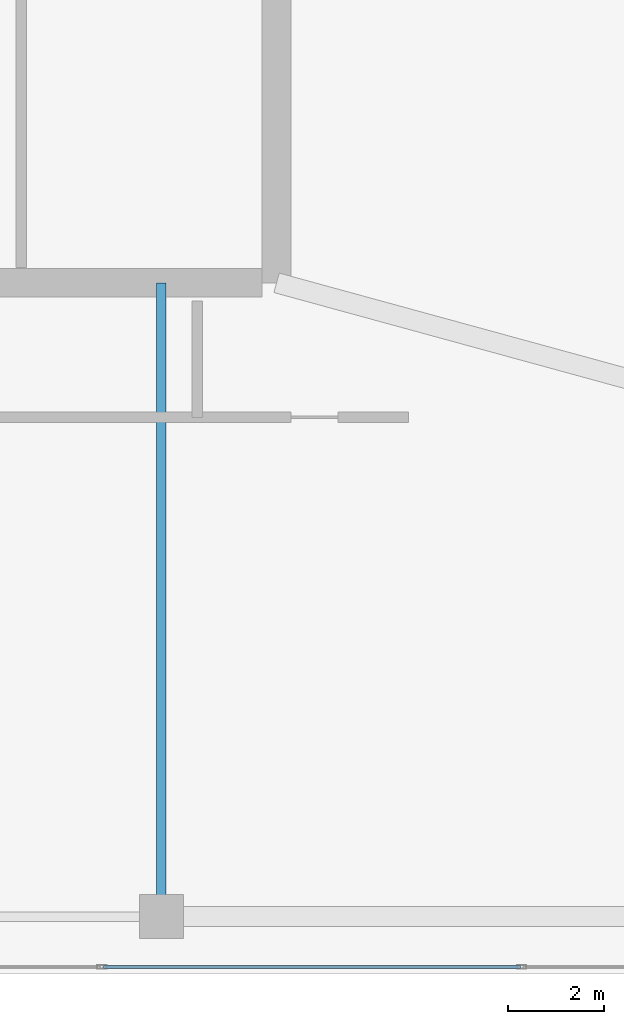
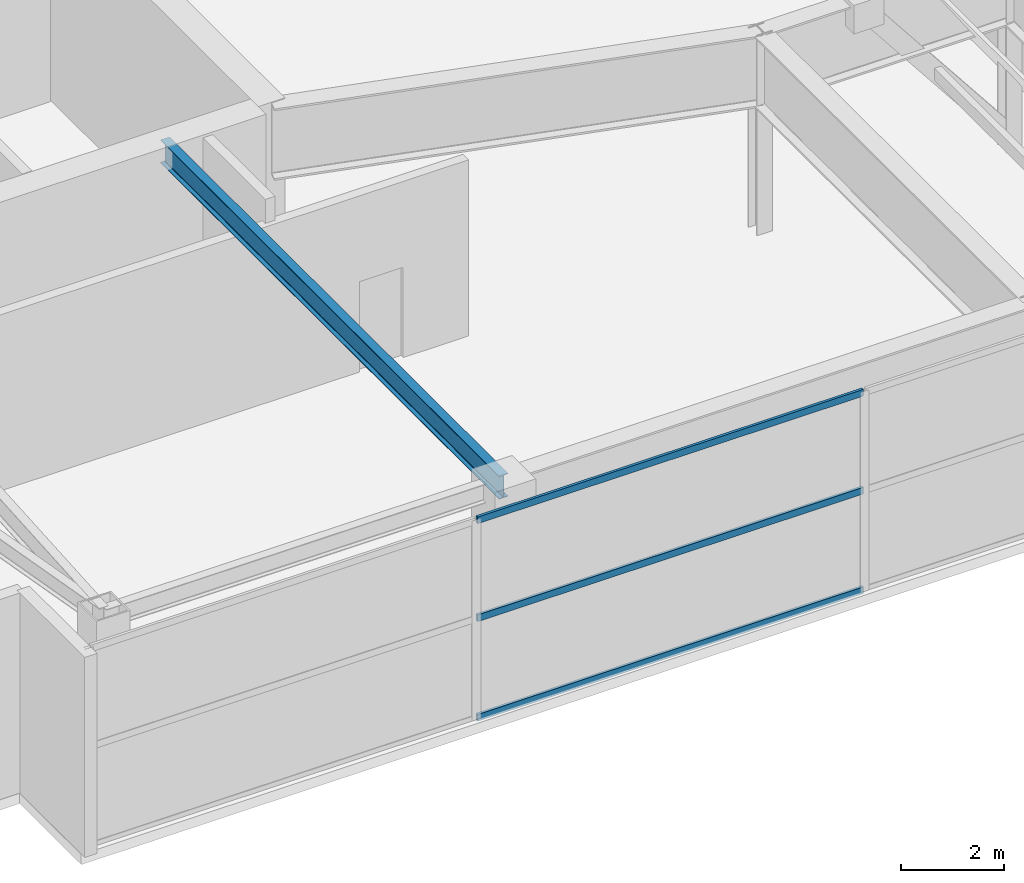
# One storey, part 5 of 22: 3 members, 1 beam, 1 element without a shape of its own.
"""IFC4 building model written with IfcOpenShell, lengths in metres."""

import ifcopenshell
import ifcopenshell.guid

model = None  # the IFC model being written
_history = None  # IfcOwnerHistory: only IFC2X3 demands one
_inside = {}  # id of a spatial element -> (the spatial element, [elements in it])
_under = {}  # id of a project, library or spatial element -> (it, [spatial elements below it])
_declared = {}  # id of a project -> (the project, [libraries it declares])
_typed = {}  # id of a type object -> (the type object, [elements of that type])
_made_of = {}  # id of a material, layer set ... -> (it, [elements and type objects made of it])


def new_model(schema):
    """Start an empty IFC model of exactly this schema.

    Asked for "IFC4X3", IfcOpenShell would pick the latest addendum, in which some entities
    have other attributes; the version numbers below select the first issue.
    IFC2X3 requires an IfcOwnerHistory on every rooted entity: one is made here for all.
    """
    global model, _history
    if schema == "IFC4X3":
        model = ifcopenshell.file(schema_version=(4, 3, 0, 0))
    else:
        model = ifcopenshell.file(schema=schema)
    _inside.clear()
    _under.clear()
    _declared.clear()
    _typed.clear()
    _made_of.clear()
    _history = None
    if model.schema == "IFC2X3":
        org = make("IfcOrganization", Name="unknown")
        user = make(
            "IfcPersonAndOrganization",
            ThePerson=make("IfcPerson", FamilyName="unknown"),
            TheOrganization=org,
        )
        app = make(
            "IfcApplication",
            ApplicationDeveloper=org,
            Version="unknown",
            ApplicationFullName="unknown",
            ApplicationIdentifier="unknown",
        )
        _history = make(
            "IfcOwnerHistory",
            OwningUser=user,
            OwningApplication=app,
            ChangeAction="ADDED",
            CreationDate=0,
        )
    return model


def make(cls, **values):
    """One entity of the class cls with the attributes given. An attribute that is None is left unset."""
    return model.create_entity(
        cls, **{name: value for name, value in values.items() if value is not None}
    )


def rooted(cls, **values):
    """An entity with a GlobalId (a new one), such as an element, a storey or a relation."""
    return make(cls, GlobalId=ifcopenshell.guid.new(), OwnerHistory=_history, **values)


def si_unit(unit_type, name, prefix=None):
    """IfcSIUnit, for example si_unit("LENGTHUNIT", "METRE", prefix="MILLI")."""
    return make("IfcSIUnit", UnitType=unit_type, Prefix=prefix, Name=name)


def assignment(units):
    """IfcUnitAssignment: the units of a project."""
    return None if units is None else make("IfcUnitAssignment", Units=units)


def point(xyz):
    """IfcCartesianPoint."""
    return None if xyz is None else make("IfcCartesianPoint", Coordinates=xyz)


def direction(xyz):
    """IfcDirection."""
    return None if xyz is None else make("IfcDirection", DirectionRatios=xyz)


def frame(location, z_axis=None, x_axis=None):
    """IfcAxis2Placement3D, a coordinate frame: its origin and axes. An axis left out is left unset."""
    return make(
        "IfcAxis2Placement3D",
        Location=point(location),
        Axis=direction(z_axis),
        RefDirection=direction(x_axis),
    )


def frame_2d(location, x_axis=None):
    """IfcAxis2Placement2D, a coordinate frame in the plane: its origin and x axis."""
    return make(
        "IfcAxis2Placement2D", Location=point(location), RefDirection=direction(x_axis)
    )


def origin():
    """The frame at (0, 0, 0) with its axes left unset."""
    return frame((0.0, 0.0, 0.0))


def origin_2d():
    """The frame at (0, 0) in the plane with its x axis left unset."""
    return frame_2d((0.0, 0.0))


def place(relative_to, where):
    """IfcLocalPlacement: puts the frame where relative to a parent placement (None: the world)."""
    return make(
        "IfcLocalPlacement", PlacementRelTo=relative_to, RelativePlacement=where
    )


def context(
    kind, dimensions, precision=None, world=None, true_north=None, identifier=None
):
    """IfcGeometricRepresentationContext, for example the 3D "Model" context."""
    return make(
        "IfcGeometricRepresentationContext",
        ContextIdentifier=identifier,
        ContextType=kind,
        CoordinateSpaceDimension=dimensions,
        Precision=precision,
        WorldCoordinateSystem=world,
        TrueNorth=true_north,
    )


def subcontext(parent, identifier, kind, view, scale=None):
    """IfcGeometricRepresentationSubContext, for example "Body" below "Model"."""
    return make(
        "IfcGeometricRepresentationSubContext",
        ContextIdentifier=identifier,
        ContextType=kind,
        ParentContext=parent,
        TargetScale=scale,
        TargetView=view,
    )


def project(units=None, contexts=None):
    """IfcProject with its units and contexts."""
    return rooted(
        "IfcProject",
        Name="project",
        RepresentationContexts=contexts,
        UnitsInContext=assignment(units),
    )


def spatial(cls, under=None, at=None, **own):
    """A site, building, storey or space (cls), placed at a placement, below another one or the project."""
    s = rooted(cls, ObjectPlacement=at, **own)
    if under is not None:
        _under.setdefault(under.id(), (under, []))[1].append(s)
    return s


def profile(cls, at=None, kind="AREA", **sizes):
    """A parametric profile (cls). Its sizes go by their IFC names, for example OverallWidth=200.0."""
    return make(cls, ProfileType=kind, Position=at, **sizes)


def hollow_rectangle(**sizes):
    """IfcRectangleHollowProfileDef."""
    return profile("IfcRectangleHollowProfileDef", **sizes)


def i_section(**sizes):
    """IfcIShapeProfileDef."""
    return profile("IfcIShapeProfileDef", **sizes)


def extrude(swept, where, along, depth):
    """IfcExtrudedAreaSolid: the profile swept, set in the frame where, extruded along a direction by depth."""
    return make(
        "IfcExtrudedAreaSolid",
        SweptArea=swept,
        Position=where,
        ExtrudedDirection=direction(along),
        Depth=depth,
    )


def shape(context_of_items, identifier, shape_type, items):
    """IfcShapeRepresentation: the items that make up one representation, for example the "Body"."""
    return make(
        "IfcShapeRepresentation",
        ContextOfItems=context_of_items,
        RepresentationIdentifier=identifier,
        RepresentationType=shape_type,
        Items=items,
    )


def material(Name=None, Category=None):
    """IfcMaterial."""
    return make("IfcMaterial", Name=Name, Category=Category)


def layer(
    of_material, thickness, ventilated=None, Name=None, Category=None, Priority=None
):
    """IfcMaterialLayer: one layer of a wall or slab, of a material (None: an air gap)."""
    return make(
        "IfcMaterialLayer",
        Material=of_material,
        LayerThickness=thickness,
        IsVentilated=ventilated,
        Name=Name,
        Category=Category,
        Priority=Priority,
    )


def layer_set(layers, Name=None):
    """IfcMaterialLayerSet."""
    return make("IfcMaterialLayerSet", MaterialLayers=layers, LayerSetName=Name)


def material_profile(
    of_material, cross_section, Name=None, Category=None, Priority=None
):
    """IfcMaterialProfile: a cross section and its material."""
    return make(
        "IfcMaterialProfile",
        Name=Name,
        Material=of_material,
        Profile=cross_section,
        Priority=Priority,
        Category=Category,
    )


def profile_set(profiles, Name=None, composite=None):
    """IfcMaterialProfileSet."""
    return make(
        "IfcMaterialProfileSet",
        Name=Name,
        MaterialProfiles=profiles,
        CompositeProfile=composite,
    )


def made_of(thing, what):
    """Note that an element or type object is made of a material, layer set ...; save() writes the relation."""
    if what is not None:
        _made_of.setdefault(what.id(), (what, []))[1].append(thing)
    return thing


def type_object(cls, material=None, **own):
    """A type object (cls), such as IfcWallType, which elements share."""
    return made_of(rooted(cls, **own), material)


def element(
    cls,
    number,
    at=None,
    inside=None,
    cuts=None,
    type_object=None,
    material=None,
    context=None,
    identifier="Body",
    shape_type=None,
    held_by="IfcProductDefinitionShape",
    body=None,
    shapes=None,
    **own,
):
    """One element of the class cls, such as IfcWall. Its Tag is "e" and its number.

    at: its placement. inside: the storey or other place that contains it. cuts: it is an
    opening in that element (IfcRelVoidsElement). A single representation is given by context,
    identifier, shape_type and body (its items); several are given by shapes. held_by: the class
    of the entity that holds the representations. save() writes the other relations.
    """
    e = rooted(cls, Tag="e%d" % number, ObjectPlacement=at, **own)
    if body is not None:
        shapes = [shape(context, identifier, shape_type, body)]
    if shapes is not None:
        e.Representation = make(held_by, Representations=shapes)
    if inside is not None:
        _inside.setdefault(inside.id(), (inside, []))[1].append(e)
    if cuts is not None:
        rooted(
            "IfcRelVoidsElement", RelatingBuildingElement=cuts, RelatedOpeningElement=e
        )
    if type_object is not None:
        _typed.setdefault(type_object.id(), (type_object, []))[1].append(e)
    return made_of(e, material)


def aggregate(whole, parts):
    """IfcRelAggregates: a whole, such as a stair, and the parts it consists of."""
    return rooted("IfcRelAggregates", RelatingObject=whole, RelatedObjects=parts)


def save(model, path):
    """Write the relations noted so far, then the file.

    IfcRelAggregates (storeys below a building ...), IfcRelContainedInSpatialStructure (elements
    in a storey), IfcRelDefinesByType, IfcRelAssociatesMaterial and IfcRelDeclares: one each for
    every whole, place, type object, material and project.
    """
    for whole, parts in _under.values():
        aggregate(whole, parts)
    for where, things in _inside.values():
        rooted(
            "IfcRelContainedInSpatialStructure",
            RelatedElements=things,
            RelatingStructure=where,
        )
    for kind, things in _typed.values():
        rooted("IfcRelDefinesByType", RelatedObjects=things, RelatingType=kind)
    for what, things in _made_of.values():
        rooted("IfcRelAssociatesMaterial", RelatedObjects=things, RelatingMaterial=what)
    for by, libraries in _declared.values():
        rooted("IfcRelDeclares", RelatingContext=by, RelatedDefinitions=libraries)
    model.write(path)


model = new_model("IFC4")

# Units and contexts
model_context = context("Model", 3, precision=1e-05, world=origin(), true_north=direction((0.0, 1.0)))
body_context = subcontext(model_context, "Body", "Model", "MODEL_VIEW")
ifc_project = project(units=[si_unit("LENGTHUNIT", "METRE"), si_unit("AREAUNIT", "SQUARE_METRE"), si_unit("VOLUMEUNIT", "CUBIC_METRE"), si_unit("PLANEANGLEUNIT", "RADIAN"), si_unit("MASSUNIT", "GRAM", prefix="KILO")], contexts=[model_context])

# Site, building, storey
site_placement = place(None, origin())
site = spatial("IfcSite", under=ifc_project, at=site_placement, CompositionType="ELEMENT")
building_placement = place(site_placement, origin())
building = spatial("IfcBuilding", under=site, at=building_placement, Name="Calvorn Quay Hotel", CompositionType="ELEMENT")
storey_placement = place(building_placement, frame((0.0, 0.0, 325.5)))
storey = spatial("IfcBuildingStorey", under=building, at=storey_placement, Name="L80", CompositionType="ELEMENT", Elevation=325.5)

# Beam
ifc_material_1 = material(Name="Steel Q355B", Category="steel")
ifc_material_profile_1 = material_profile(ifc_material_1, i_section(OverallWidth=0.199951171875, OverallDepth=0.550048828125, WebThickness=0.010009765625, FlangeThickness=0.01611328125, FilletRadius=0.01806640625, at=origin_2d()), Name="HN550x200x10x16")
ifc_profile_set_1 = profile_set([ifc_material_profile_1], Name="Steel Q355B")
beam_type = type_object("IfcBeamType", Name="BM-GIRD-UPP", PredefinedType="BEAM", material=ifc_profile_set_1)
beam_placement = place(storey_placement, frame((12.60009765625, 3.60009765625, 4.465087890625), z_axis=(0.0, 1.0, 0.0), x_axis=(-1.0, 0.0, 0.0)))
element("IfcBeam", 1, at=beam_placement, inside=storey, type_object=beam_type, Name="Beam BG-L80-CS1", PredefinedType="BEAM", context=body_context, shape_type="SweptSolid", body=[
    extrude(i_section(OverallWidth=0.199951171875, OverallDepth=0.550048828125, WebThickness=0.010009765625, FlangeThickness=0.01611328125, FilletRadius=0.01806640625, at=origin_2d()), origin(), (0.0, 0.0, 1.0), 13.199951171875),
])

# Curtain wall, members
ifc_material_2 = material(Name="Pale Anodised Aluminium and Laminated Glass", Category="aluminium")
ifc_layer = layer(ifc_material_2, 0.219970703125)
ifc_layer_set = layer_set([ifc_layer], Name="CW-SYS-CRN")
curtain_wall_type = type_object("IfcCurtainWallType", Name="CW-SYS-CRN", PredefinedType="NOTDEFINED", material=ifc_layer_set)
curtain_wall_placement = place(storey_placement, origin())
curtain_wall = element("IfcCurtainWall", 2, at=curtain_wall_placement, inside=storey, type_object=curtain_wall_type, Name="Crown Curtain Wall L80-C1", PredefinedType="NOTDEFINED")
ifc_material_3 = material(Name="Pale Anodised Aluminium 6063-T6", Category="aluminium")
ifc_material_profile_2 = material_profile(ifc_material_3, hollow_rectangle(XDim=0.06201171875, YDim=0.159912109375, WallThickness=0.00341796875, at=origin_2d()), Name="ALU-T160x62x3.5")
ifc_profile_set_2 = profile_set([ifc_material_profile_2], Name="Pale Anodised Aluminium 6063-T6")
member_type = type_object("IfcMemberType", Name="CW-SYS-CRN-TRN", PredefinedType="USERDEFINED", material=ifc_profile_set_2)
member_1_placement = place(storey_placement, frame((11.392333984375, 2.550048828125, 0.030029296875), z_axis=(1.0, 0.0, 0.0), x_axis=(0.0, 1.0, 0.0)))
member_1 = element("IfcMember", 3, at=member_1_placement, type_object=member_type, Name="CW-L80-C1 transom 2.1", ObjectType="TRANSOM", PredefinedType="USERDEFINED", context=body_context, shape_type="SweptSolid", body=[
    extrude(hollow_rectangle(XDim=0.06201171875, YDim=0.159912109375, WallThickness=0.00341796875, at=origin_2d()), origin(), (0.0, 0.0, 1.0), 8.682373046875),
])
member_2_placement = place(storey_placement, frame((11.392333984375, 2.550048828125, 2.39990234375), z_axis=(1.0, 0.0, 0.0), x_axis=(0.0, 1.0, 0.0)))
member_2 = element("IfcMember", 4, at=member_2_placement, type_object=member_type, Name="CW-L80-C1 transom 2.2", ObjectType="TRANSOM", PredefinedType="USERDEFINED", context=body_context, shape_type="SweptSolid", body=[
    extrude(hollow_rectangle(XDim=0.06201171875, YDim=0.159912109375, WallThickness=0.00341796875, at=origin_2d()), origin(), (0.0, 0.0, 1.0), 8.682373046875),
])
member_3_placement = place(storey_placement, frame((11.392333984375, 2.550048828125, 4.72998046875), z_axis=(1.0, 0.0, 0.0), x_axis=(0.0, 1.0, 0.0)))
member_3 = element("IfcMember", 5, at=member_3_placement, type_object=member_type, Name="CW-L80-C1 transom 2.3", ObjectType="TRANSOM", PredefinedType="USERDEFINED", context=body_context, shape_type="SweptSolid", body=[
    extrude(hollow_rectangle(XDim=0.06201171875, YDim=0.159912109375, WallThickness=0.00341796875, at=origin_2d()), origin(), (0.0, 0.0, 1.0), 8.682373046875),
])
aggregate(curtain_wall, [member_1, member_2, member_3])

save(model, "model.ifc")
